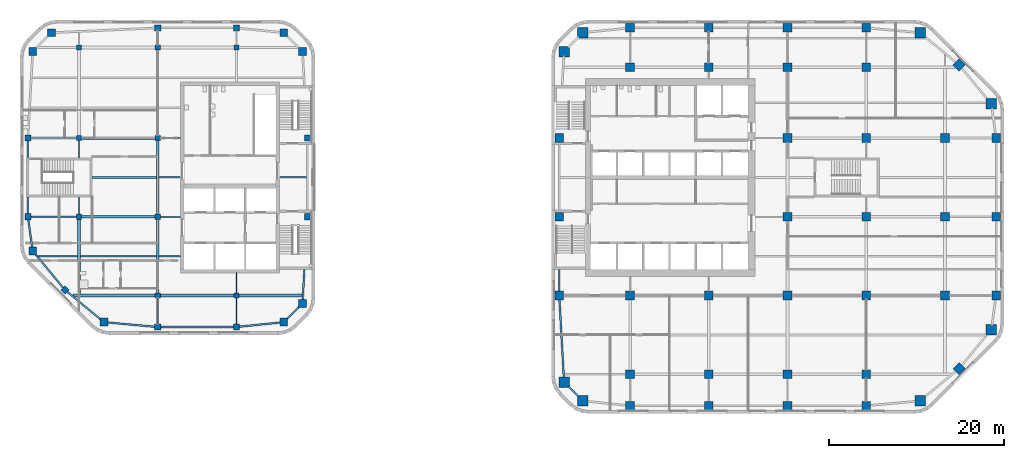
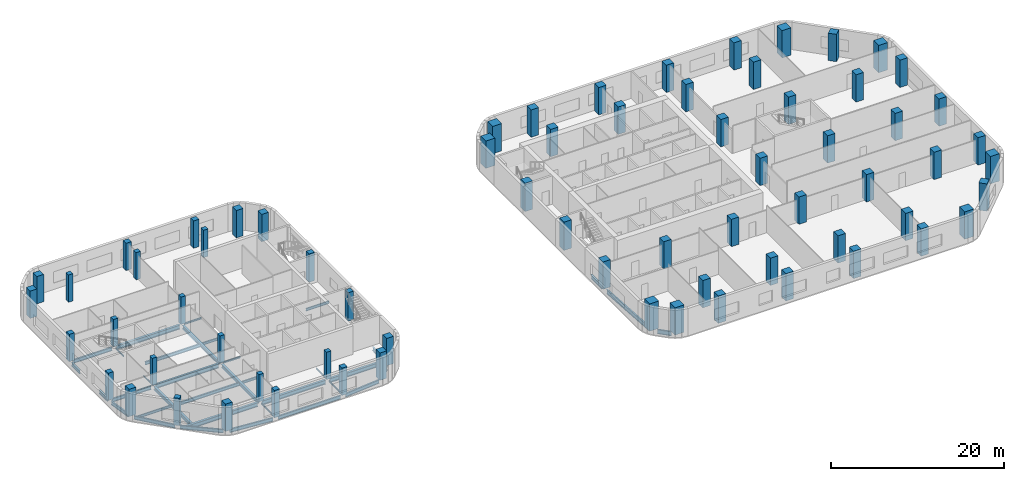
# One storey, part 1 of 14: 69 columns, 36 beams.
"""IFC4 building model written with IfcOpenShell, lengths in metres."""

from ifc_helpers import new_model, si_unit, direction, frame, origin, origin_2d, place, context, subcontext, project, spatial, rectangle, i_section, extrude, material, material_profile, profile_set, type_object, element, save


model = new_model("IFC4")

# Units and contexts
model_context = context("Model", 3, precision=1e-05, world=origin(), true_north=direction((0.0, 1.0)))
body_context = subcontext(model_context, "Body", "Model", "MODEL_VIEW")
ifc_project = project(units=[si_unit("LENGTHUNIT", "METRE"), si_unit("AREAUNIT", "SQUARE_METRE"), si_unit("VOLUMEUNIT", "CUBIC_METRE"), si_unit("PLANEANGLEUNIT", "RADIAN"), si_unit("MASSUNIT", "GRAM", prefix="KILO")], contexts=[model_context])

# Site, building, storey
site_placement = place(None, origin())
site = spatial("IfcSite", under=ifc_project, at=site_placement, CompositionType="ELEMENT")
building_placement = place(site_placement, origin())
building = spatial("IfcBuilding", under=site, at=building_placement, Name="Cinnabar Reach Civic Tower", CompositionType="ELEMENT")
storey_placement = place(building_placement, frame((0.0, 0.0, 124.0)))
storey = spatial("IfcBuildingStorey", under=building, at=storey_placement, Name="L29", CompositionType="ELEMENT", Elevation=124.0)

# Columns
ifc_material_1 = material(Name="Concrete C70", Category="concrete")
ifc_material_profile_1 = material_profile(ifc_material_1, rectangle(XDim=1.0, YDim=1.0, at=origin_2d()), Name="RC1000")
ifc_profile_set_1 = profile_set([ifc_material_profile_1], Name="Concrete C70")
column_type_1 = type_object("IfcColumnType", Name="RC1000 column R 240", PredefinedType="COLUMN", material=ifc_profile_set_1)
for number, where, z_axis, x_axis, name in (
    (1, (9.0, 5.4, 0.0), (0.0, 0.0, 1.0), (1.0, 0.0, 0.0), "Column T1-Z2-F0-1"),
    (2, (18.0, 5.4, 0.0), (0.0, 0.0, 1.0), (1.0, 0.0, 0.0), "Column T1-Z2-F0-2"),
    (3, (27.0, 5.4, 0.0), (0.0, 0.0, 1.0), (1.0, 0.0, 0.0), "Column T1-Z2-F0-3"),
    (4, (36.0, 5.4, 0.0), (0.0, 0.0, 1.0), (1.0, 0.0, 0.0), "Column T1-Z2-F0-4"),
    (5, (46.6136, 9.6364, 0.0), (0.0, 0.0, 1.0), (0.707106781187, 0.707106781187, 0.0), "Column T1-Z2-F1-M"),
    (6, (50.85, 18.0, 0.0), (0.0, 0.0, 1.0), (1.0, 0.0, 0.0), "Column T1-Z2-F2-2"),
    (7, (50.85, 27.0, 0.0), (0.0, 0.0, 1.0), (1.0, 0.0, 0.0), "Column T1-Z2-F2-3"),
    (8, (50.85, 36.0, 0.0), (0.0, 0.0, 1.0), (1.0, 0.0, 0.0), "Column T1-Z2-F2-4"),
    (9, (46.6136, 44.3636, 0.0), (0.0, 0.0, 1.0), (0.707106781187, 0.707106781187, 0.0), "Column T1-Z2-F3-M"),
    (10, (9.0, 48.6, 0.0), (0.0, 0.0, 1.0), (1.0, 0.0, 0.0), "Column T1-Z2-F4-1"),
    (11, (18.0, 48.6, 0.0), (0.0, 0.0, 1.0), (1.0, 0.0, 0.0), "Column T1-Z2-F4-2"),
    (12, (27.0, 48.6, 0.0), (0.0, 0.0, 1.0), (1.0, 0.0, 0.0), "Column T1-Z2-F4-3"),
    (13, (36.0, 48.6, 0.0), (0.0, 0.0, 1.0), (1.0, 0.0, 0.0), "Column T1-Z2-F4-4"),
    (14, (0.9, 18.0, 0.0), (0.0, 0.0, 1.0), (1.0, 0.0, 0.0), "Column T1-Z2-F6-2"),
):
    element("IfcColumn", number, at=place(storey_placement, frame(where, z_axis=z_axis, x_axis=x_axis)), inside=storey, type_object=column_type_1, Name=name, PredefinedType="COLUMN", context=body_context, shape_type="SweptSolid", body=[
        extrude(rectangle(XDim=1.0, YDim=1.0, at=origin_2d()), origin(), (0.0, 0.0, 1.0), 3.85),
    ])
for number, where, z_axis, x_axis, name in (
    (15, (0.9, 27.0, 0.0), (0.0, 0.0, 1.0), (1.0, 0.0, 0.0), "Column T1-Z2-F6-3"),
    (16, (0.9, 36.0, 0.0), (0.0, 0.0, 1.0), (1.0, 0.0, 0.0), "Column T1-Z2-F6-4"),
):
    element("IfcColumn", number, at=place(storey_placement, frame(where, z_axis=z_axis, x_axis=x_axis)), inside=storey, type_object=column_type_1, Name=name, PredefinedType="COLUMN", context=body_context, shape_type="SweptSolid", body=[
        extrude(rectangle(XDim=1.0, YDim=1.0, at=origin_2d()), origin(), (0.0, 0.0, 1.0), 4.0),
    ])
for number, where, z_axis, x_axis, name in (
    (17, (9.0, 9.0, 0.0), (0.0, 0.0, 1.0), (1.0, 0.0, 0.0), "Column T1-Z2-I9_9"),
    (18, (9.0, 18.0, 0.0), (0.0, 0.0, 1.0), (1.0, 0.0, 0.0), "Column T1-Z2-I9_18"),
    (19, (9.0, 44.1, 0.0), (0.0, 0.0, 1.0), (1.0, 0.0, 0.0), "Column T1-Z2-I9_45"),
    (20, (18.0, 9.0, 0.0), (0.0, 0.0, 1.0), (1.0, 0.0, 0.0), "Column T1-Z2-I18_9"),
    (21, (18.0, 18.0, 0.0), (0.0, 0.0, 1.0), (1.0, 0.0, 0.0), "Column T1-Z2-I18_18"),
    (22, (18.0, 44.1, 0.0), (0.0, 0.0, 1.0), (1.0, 0.0, 0.0), "Column T1-Z2-I18_45"),
    (23, (27.0, 9.0, 0.0), (0.0, 0.0, 1.0), (1.0, 0.0, 0.0), "Column T1-Z2-I27_9"),
    (24, (27.0, 18.0, 0.0), (0.0, 0.0, 1.0), (1.0, 0.0, 0.0), "Column T1-Z2-I27_18"),
    (25, (27.0, 27.0, 0.0), (0.0, 0.0, 1.0), (1.0, 0.0, 0.0), "Column T1-Z2-I27_27"),
    (26, (27.0, 36.0, 0.0), (0.0, 0.0, 1.0), (1.0, 0.0, 0.0), "Column T1-Z2-I27_36"),
    (27, (27.0, 44.1, 0.0), (0.0, 0.0, 1.0), (1.0, 0.0, 0.0), "Column T1-Z2-I27_45"),
    (28, (36.0, 9.0, 0.0), (0.0, 0.0, 1.0), (1.0, 0.0, 0.0), "Column T1-Z2-I36_9"),
    (29, (36.0, 18.0, 0.0), (0.0, 0.0, 1.0), (1.0, 0.0, 0.0), "Column T1-Z2-I36_18"),
    (30, (36.0, 27.0, 0.0), (0.0, 0.0, 1.0), (1.0, 0.0, 0.0), "Column T1-Z2-I36_27"),
    (31, (36.0, 36.0, 0.0), (0.0, 0.0, 1.0), (1.0, 0.0, 0.0), "Column T1-Z2-I36_36"),
    (32, (36.0, 44.1, 0.0), (0.0, 0.0, 1.0), (1.0, 0.0, 0.0), "Column T1-Z2-I36_45"),
    (33, (45.0, 18.0, 0.0), (0.0, 0.0, 1.0), (1.0, 0.0, 0.0), "Column T1-Z2-I45_18"),
    (34, (45.0, 27.0, 0.0), (0.0, 0.0, 1.0), (1.0, 0.0, 0.0), "Column T1-Z2-I45_27"),
    (35, (45.0, 36.0, 0.0), (0.0, 0.0, 1.0), (1.0, 0.0, 0.0), "Column T1-Z2-I45_36"),
):
    element("IfcColumn", number, at=place(storey_placement, frame(where, z_axis=z_axis, x_axis=x_axis)), inside=storey, type_object=column_type_1, Name=name, PredefinedType="COLUMN", context=body_context, shape_type="SweptSolid", body=[
        extrude(rectangle(XDim=1.0, YDim=1.0, at=origin_2d()), origin(), (0.0, 0.0, 1.0), 3.85),
    ])
ifc_material_2 = material(Name="Concrete C80", Category="concrete")
ifc_material_profile_2 = material_profile(ifc_material_2, rectangle(XDim=1.2, YDim=1.2, at=origin_2d()), Name="RC1200")
ifc_profile_set_2 = profile_set([ifc_material_profile_2], Name="Concrete C80")
column_type_2 = type_object("IfcColumnType", Name="RC1200 column R 240", PredefinedType="COLUMN", material=ifc_profile_set_2)
for number, where, z_axis, x_axis, name in (
    (36, (3.6019, 5.9531, 0.0), (0.0, 0.0, 1.0), (1.0, 0.0, 0.0), "Column T1-Z2-CC0"),
    (37, (42.1481, 5.9531, 0.0), (0.0, 0.0, 1.0), (1.0, 0.0, 0.0), "Column T1-Z2-CC1"),
    (38, (50.2969, 14.1019, 0.0), (0.0, 0.0, 1.0), (1.0, 0.0, 0.0), "Column T1-Z2-CC2"),
    (39, (50.2969, 39.8981, 0.0), (0.0, 0.0, 1.0), (1.0, 0.0, 0.0), "Column T1-Z2-CC3"),
    (40, (42.1481, 48.0469, 0.0), (0.0, 0.0, 1.0), (1.0, 0.0, 0.0), "Column T1-Z2-CC4"),
    (41, (3.6019, 48.0469, 0.0), (0.0, 0.0, 1.0), (1.0, 0.0, 0.0), "Column T1-Z2-CC5"),
    (42, (1.4531, 45.8981, 0.0), (0.0, 0.0, 1.0), (1.0, 0.0, 0.0), "Column T1-Z2-CC6"),
    (43, (1.4531, 8.1019, 0.0), (0.0, 0.0, 1.0), (1.0, 0.0, 0.0), "Column T1-Z2-CC7"),
):
    element("IfcColumn", number, at=place(storey_placement, frame(where, z_axis=z_axis, x_axis=x_axis)), inside=storey, type_object=column_type_2, Name=name, PredefinedType="COLUMN", context=body_context, shape_type="SweptSolid", body=[
        extrude(rectangle(XDim=1.2, YDim=1.2, at=origin_2d()), origin(), (0.0, 0.0, 1.0), 3.85),
    ])
ifc_material_3 = material(Name="Concrete C60", Category="concrete")
ifc_material_profile_3 = material_profile(ifc_material_3, rectangle(XDim=0.6, YDim=0.6, at=origin_2d()), Name="RC600")
ifc_profile_set_3 = profile_set([ifc_material_profile_3], Name="Concrete C60")
column_type_3 = type_object("IfcColumnType", Name="RC600 column R 180", PredefinedType="COLUMN", material=ifc_profile_set_3)
for number, where, z_axis, x_axis, name in (
    (44, (-54.0, 27.0, 0.0), (0.0, 0.0, 1.0), (1.0, 0.0, 0.0), "Column T2-Z3-I-54_27"),
    (45, (-54.0, 36.0, 0.0), (0.0, 0.0, 1.0), (1.0, 0.0, 0.0), "Column T2-Z3-I-54_36"),
    (46, (-54.0, 46.35, 0.0), (0.0, 0.0, 1.0), (1.0, 0.0, 0.0), "Column T2-Z3-I-54_45"),
    (47, (-45.0, 18.0, 0.0), (0.0, 0.0, 1.0), (1.0, 0.0, 0.0), "Column T2-Z3-I-45_18"),
    (48, (-45.0, 27.0, 0.0), (0.0, 0.0, 1.0), (1.0, 0.0, 0.0), "Column T2-Z3-I-45_27"),
    (49, (-45.0, 36.0, 0.0), (0.0, 0.0, 1.0), (1.0, 0.0, 0.0), "Column T2-Z3-I-45_36"),
    (50, (-45.0, 46.35, 0.0), (0.0, 0.0, 1.0), (1.0, 0.0, 0.0), "Column T2-Z3-I-45_45"),
    (51, (-36.0, 18.0, 0.0), (0.0, 0.0, 1.0), (1.0, 0.0, 0.0), "Column T2-Z3-I-36_18"),
    (52, (-36.0, 46.35, 0.0), (0.0, 0.0, 1.0), (1.0, 0.0, 0.0), "Column T2-Z3-I-36_45"),
):
    element("IfcColumn", number, at=place(storey_placement, frame(where, z_axis=z_axis, x_axis=x_axis)), inside=storey, type_object=column_type_3, Name=name, PredefinedType="COLUMN", context=body_context, shape_type="SweptSolid", body=[
        extrude(rectangle(XDim=0.6, YDim=0.6, at=origin_2d()), origin(), (0.0, 0.0, 1.0), 3.85),
    ])
ifc_material_profile_4 = material_profile(ifc_material_3, rectangle(XDim=0.7, YDim=0.7, at=origin_2d()), Name="RC700")
ifc_profile_set_4 = profile_set([ifc_material_profile_4], Name="Concrete C60")
column_type_4 = type_object("IfcColumnType", Name="RC700 column R 180", PredefinedType="COLUMN", material=ifc_profile_set_4)
for number, where, z_axis, x_axis, name in (
    (53, (-45.0, 14.4, 0.0), (0.0, 0.0, 1.0), (1.0, 0.0, 0.0), "Column T2-Z3-F0--5"),
    (54, (-36.0, 14.4, 0.0), (0.0, 0.0, 1.0), (1.0, 0.0, 0.0), "Column T2-Z3-F0--4"),
):
    element("IfcColumn", number, at=place(storey_placement, frame(where, z_axis=z_axis, x_axis=x_axis)), inside=storey, type_object=column_type_4, Name=name, PredefinedType="COLUMN", context=body_context, shape_type="SweptSolid", body=[
        extrude(rectangle(XDim=0.7, YDim=0.7, at=origin_2d()), origin(), (0.0, 0.0, 1.0), 3.85),
    ])
for number, where, z_axis, x_axis, name in (
    (55, (-27.9, 27.0, 0.0), (0.0, 0.0, 1.0), (1.0, 0.0, 0.0), "Column T2-Z3-F2-3"),
    (56, (-27.9, 36.0, 0.0), (0.0, 0.0, 1.0), (1.0, 0.0, 0.0), "Column T2-Z3-F2-4"),
):
    element("IfcColumn", number, at=place(storey_placement, frame(where, z_axis=z_axis, x_axis=x_axis)), inside=storey, type_object=column_type_4, Name=name, PredefinedType="COLUMN", context=body_context, shape_type="SweptSolid", body=[
        extrude(rectangle(XDim=0.7, YDim=0.7, at=origin_2d()), origin(), (0.0, 0.0, 1.0), 4.0),
    ])
for number, where, z_axis, x_axis, name in (
    (57, (-45.0, 48.6, 0.0), (0.0, 0.0, 1.0), (1.0, 0.0, 0.0), "Column T2-Z3-F4--5"),
    (58, (-36.0, 48.6, 0.0), (0.0, 0.0, 1.0), (1.0, 0.0, 0.0), "Column T2-Z3-F4--4"),
    (59, (-59.85, 27.0, 0.0), (0.0, 0.0, 1.0), (1.0, 0.0, 0.0), "Column T2-Z3-F6-3"),
    (60, (-59.85, 36.0, 0.0), (0.0, 0.0, 1.0), (1.0, 0.0, 0.0), "Column T2-Z3-F6-4"),
    (61, (-55.6136, 18.6364, 0.0), (0.0, 0.0, 1.0), (0.707106781187, 0.707106781187, 0.0), "Column T2-Z3-F7-M"),
):
    element("IfcColumn", number, at=place(storey_placement, frame(where, z_axis=z_axis, x_axis=x_axis)), inside=storey, type_object=column_type_4, Name=name, PredefinedType="COLUMN", context=body_context, shape_type="SweptSolid", body=[
        extrude(rectangle(XDim=0.7, YDim=0.7, at=origin_2d()), origin(), (0.0, 0.0, 1.0), 3.85),
    ])
ifc_material_profile_5 = material_profile(ifc_material_1, rectangle(XDim=0.9, YDim=0.9, at=origin_2d()), Name="RC900")
ifc_profile_set_5 = profile_set([ifc_material_profile_5], Name="Concrete C70")
column_type_5 = type_object("IfcColumnType", Name="RC900 column R 180", PredefinedType="COLUMN", material=ifc_profile_set_5)
for number, where, z_axis, x_axis, name in (
    (62, (-51.1481, 14.9531, 0.0), (0.0, 0.0, 1.0), (1.0, 0.0, 0.0), "Column T2-Z3-CC0"),
    (63, (-30.6019, 14.9531, 0.0), (0.0, 0.0, 1.0), (1.0, 0.0, 0.0), "Column T2-Z3-CC1"),
    (64, (-28.4531, 17.1019, 0.0), (0.0, 0.0, 1.0), (1.0, 0.0, 0.0), "Column T2-Z3-CC2"),
    (65, (-28.4531, 45.8981, 0.0), (0.0, 0.0, 1.0), (1.0, 0.0, 0.0), "Column T2-Z3-CC3"),
    (66, (-30.6019, 48.0469, 0.0), (0.0, 0.0, 1.0), (1.0, 0.0, 0.0), "Column T2-Z3-CC4"),
    (67, (-57.1481, 48.0469, 0.0), (0.0, 0.0, 1.0), (1.0, 0.0, 0.0), "Column T2-Z3-CC5"),
    (68, (-59.2969, 45.8981, 0.0), (0.0, 0.0, 1.0), (1.0, 0.0, 0.0), "Column T2-Z3-CC6"),
    (69, (-59.2969, 23.1019, 0.0), (0.0, 0.0, 1.0), (1.0, 0.0, 0.0), "Column T2-Z3-CC7"),
):
    element("IfcColumn", number, at=place(storey_placement, frame(where, z_axis=z_axis, x_axis=x_axis)), inside=storey, type_object=column_type_5, Name=name, PredefinedType="COLUMN", context=body_context, shape_type="SweptSolid", body=[
        extrude(rectangle(XDim=0.9, YDim=0.9, at=origin_2d()), origin(), (0.0, 0.0, 1.0), 3.85),
    ])

# Beams
ifc_material_4 = material(Name="Steel Q355B", Category="steel")
ifc_material_profile_6 = material_profile(ifc_material_4, i_section(OverallWidth=0.3, OverallDepth=0.488, WebThickness=0.011, FlangeThickness=0.018, FilletRadius=0.016, at=origin_2d()), Name="HM488x300x11x18")
ifc_profile_set_6 = profile_set([ifc_material_profile_6], Name="Steel Q355B")
beam_type_1 = type_object("IfcBeamType", Name="HM488x300x11x18 beam R 120", PredefinedType="BEAM", material=ifc_profile_set_6)
beam_1_placement = place(storey_placement, frame((-54.0, 18.152, -0.394), z_axis=(0.0, 1.0, 0.0), x_axis=(-1.0, 0.0, 0.0)))
element("IfcBeam", 70, at=beam_1_placement, inside=storey, type_object=beam_type_1, Name="Girder T2 L29 1", PredefinedType="BEAM", context=body_context, shape_type="SweptSolid", body=[
    extrude(i_section(OverallWidth=0.3, OverallDepth=0.488, WebThickness=0.011, FlangeThickness=0.018, FilletRadius=0.016, at=origin_2d()), origin(), (0.0, 0.0, 1.0), 8.546),
])
for number, where, z_axis, x_axis, name in (
    (71, (-45.0, 18.302, -0.394), (0.0, 1.0, 0.0), (-1.0, 0.0, 0.0), "Girder T2 L29 7"),
    (72, (-45.0, 27.302, -0.394), (0.0, 1.0, 0.0), (-1.0, 0.0, 0.0), "Girder T2 L29 8"),
):
    element("IfcBeam", number, at=place(storey_placement, frame(where, z_axis=z_axis, x_axis=x_axis)), inside=storey, type_object=beam_type_1, Name=name, PredefinedType="BEAM", context=body_context, shape_type="SweptSolid", body=[
        extrude(i_section(OverallWidth=0.3, OverallDepth=0.488, WebThickness=0.011, FlangeThickness=0.018, FilletRadius=0.016, at=origin_2d()), origin(), (0.0, 0.0, 1.0), 8.396),
    ])
ifc_material_profile_7 = material_profile(ifc_material_4, i_section(OverallWidth=0.3, OverallDepth=0.588, WebThickness=0.012, FlangeThickness=0.02, FilletRadius=0.016, at=origin_2d()), Name="HM588x300x12x20")
ifc_profile_set_7 = profile_set([ifc_material_profile_7], Name="Steel Q355B")
beam_type_2 = type_object("IfcBeamType", Name="HM588x300x12x20 beam R 120", PredefinedType="BEAM", material=ifc_profile_set_7)
beam_2_placement = place(storey_placement, frame((-54.6818, 18.0, -0.444), z_axis=(1.0, 0.0, 0.0), x_axis=(0.0, 1.0, 0.0)))
element("IfcBeam", 73, at=beam_2_placement, inside=storey, type_object=beam_type_2, Name="Girder T2 L29 1", PredefinedType="BEAM", context=body_context, shape_type="SweptSolid", body=[
    extrude(i_section(OverallWidth=0.3, OverallDepth=0.588, WebThickness=0.012, FlangeThickness=0.02, FilletRadius=0.016, at=origin_2d()), origin(), (0.0, 0.0, 1.0), 9.3798),
])
beam_3_placement = place(storey_placement, frame((-44.698, 18.0, -0.444), z_axis=(1.0, 0.0, 0.0), x_axis=(0.0, 1.0, 0.0)))
element("IfcBeam", 74, at=beam_3_placement, inside=storey, type_object=beam_type_2, Name="Girder T2 L29 2", PredefinedType="BEAM", context=body_context, shape_type="SweptSolid", body=[
    extrude(i_section(OverallWidth=0.3, OverallDepth=0.588, WebThickness=0.012, FlangeThickness=0.02, FilletRadius=0.016, at=origin_2d()), origin(), (0.0, 0.0, 1.0), 8.396),
])
beam_4_placement = place(storey_placement, frame((-35.698, 18.0, -0.444), z_axis=(1.0, 0.0, 0.0), x_axis=(0.0, 1.0, 0.0)))
element("IfcBeam", 75, at=beam_4_placement, inside=storey, type_object=beam_type_2, Name="Girder T2 L29 3", PredefinedType="BEAM", context=body_context, shape_type="SweptSolid", body=[
    extrude(i_section(OverallWidth=0.3, OverallDepth=0.588, WebThickness=0.012, FlangeThickness=0.02, FilletRadius=0.016, at=origin_2d()), origin(), (0.0, 0.0, 1.0), 7.1929),
])
for number, where, z_axis, x_axis, name in (
    (76, (-53.698, 27.0, -0.444), (1.0, 0.0, 0.0), (0.0, 1.0, 0.0), "Girder T2 L29 5"),
    (77, (-53.698, 36.0, -0.444), (1.0, 0.0, 0.0), (0.0, 1.0, 0.0), "Girder T2 L29 8"),
):
    element("IfcBeam", number, at=place(storey_placement, frame(where, z_axis=z_axis, x_axis=x_axis)), inside=storey, type_object=beam_type_2, Name=name, PredefinedType="BEAM", context=body_context, shape_type="SweptSolid", body=[
        extrude(i_section(OverallWidth=0.3, OverallDepth=0.588, WebThickness=0.012, FlangeThickness=0.02, FilletRadius=0.016, at=origin_2d()), origin(), (0.0, 0.0, 1.0), 8.396),
    ])
ifc_material_profile_8 = material_profile(ifc_material_4, i_section(OverallWidth=0.099, OverallDepth=0.198, WebThickness=0.0045, FlangeThickness=0.007, FilletRadius=0.013, at=origin_2d()), Name="HN200x100x5.5x8")
ifc_profile_set_8 = profile_set([ifc_material_profile_8], Name="Steel Q355B")
beam_type_3 = type_object("IfcBeamType", Name="HN200x100x5.5x8 beam R 120", PredefinedType="BEAM", material=ifc_profile_set_8)
for number, where, z_axis, x_axis, name in (
    (78, (-54.0, 27.302, -0.249), (0.0, 1.0, 0.0), (-1.0, 0.0, 0.0), "Girder T2 L29 2"),
    (79, (-54.0, 33.752, -0.249), (0.0, 1.0, 0.0), (-1.0, 0.0, 0.0), "Girder T2 L29 3"),
):
    element("IfcBeam", number, at=place(storey_placement, frame(where, z_axis=z_axis, x_axis=x_axis)), inside=storey, type_object=beam_type_3, Name=name, PredefinedType="BEAM", context=body_context, shape_type="SweptSolid", body=[
        extrude(i_section(OverallWidth=0.099, OverallDepth=0.198, WebThickness=0.0045, FlangeThickness=0.007, FilletRadius=0.013, at=origin_2d()), origin(), (0.0, 0.0, 1.0), 1.946),
    ])
for number, where, z_axis, x_axis, name in (
    (80, (-45.0, 14.752, -0.249), (0.0, 1.0, 0.0), (-1.0, 0.0, 0.0), "Girder T2 L29 6"),
    (81, (-36.0, 14.752, -0.249), (0.0, 1.0, 0.0), (-1.0, 0.0, 0.0), "Girder T2 L29 11"),
):
    element("IfcBeam", number, at=place(storey_placement, frame(where, z_axis=z_axis, x_axis=x_axis)), inside=storey, type_object=beam_type_3, Name=name, PredefinedType="BEAM", context=body_context, shape_type="SweptSolid", body=[
        extrude(i_section(OverallWidth=0.099, OverallDepth=0.198, WebThickness=0.0045, FlangeThickness=0.007, FilletRadius=0.013, at=origin_2d()), origin(), (0.0, 0.0, 1.0), 2.946),
    ])
beam_5_placement = place(storey_placement, frame((-36.0, 18.302, -0.249), z_axis=(0.0, 1.0, 0.0), x_axis=(-1.0, 0.0, 0.0)))
element("IfcBeam", 82, at=beam_5_placement, inside=storey, type_object=beam_type_3, Name="Girder T2 L29 12", PredefinedType="BEAM", context=body_context, shape_type="SweptSolid", body=[
    extrude(i_section(OverallWidth=0.099, OverallDepth=0.198, WebThickness=0.0045, FlangeThickness=0.007, FilletRadius=0.013, at=origin_2d()), origin(), (0.0, 0.0, 1.0), 2.296),
])
ifc_material_profile_9 = material_profile(ifc_material_4, i_section(OverallWidth=0.124, OverallDepth=0.248, WebThickness=0.005, FlangeThickness=0.008, FilletRadius=0.013, at=origin_2d()), Name="HN250x125x6x9")
ifc_profile_set_9 = profile_set([ifc_material_profile_9], Name="Steel Q355B")
beam_type_4 = type_object("IfcBeamType", Name="HN250x125x6x9 beam R 120", PredefinedType="BEAM", material=ifc_profile_set_9)
for number, where, z_axis, x_axis, name in (
    (83, (-44.698, 27.0, -0.274), (1.0, 0.0, 0.0), (0.0, 1.0, 0.0), "Girder T2 L29 6"),
    (84, (-44.698, 36.0, -0.274), (1.0, 0.0, 0.0), (0.0, 1.0, 0.0), "Girder T2 L29 9"),
):
    element("IfcBeam", number, at=place(storey_placement, frame(where, z_axis=z_axis, x_axis=x_axis)), inside=storey, type_object=beam_type_4, Name=name, PredefinedType="BEAM", context=body_context, shape_type="SweptSolid", body=[
        extrude(i_section(OverallWidth=0.124, OverallDepth=0.248, WebThickness=0.005, FlangeThickness=0.008, FilletRadius=0.013, at=origin_2d()), origin(), (0.0, 0.0, 1.0), 2.296),
    ])
ifc_material_profile_10 = material_profile(ifc_material_4, i_section(OverallWidth=0.175, OverallDepth=0.35, WebThickness=0.007, FlangeThickness=0.011, FilletRadius=0.013, at=origin_2d()), Name="HN350x175x7x11")
ifc_profile_set_10 = profile_set([ifc_material_profile_10], Name="Steel Q355B")
beam_type_5 = type_object("IfcBeamType", Name="HN350x175x7x11 beam R 120", PredefinedType="BEAM", material=ifc_profile_set_10)
beam_6_placement = place(storey_placement, frame((-58.6682, 22.5, -0.325), z_axis=(1.0, 0.0, 0.0), x_axis=(0.0, 1.0, 0.0)))
element("IfcBeam", 85, at=beam_6_placement, inside=storey, type_object=beam_type_5, Name="Secondary beam T2 L29 1", PredefinedType="BEAM", context=body_context, shape_type="SweptSolid", body=[
    extrude(i_section(OverallWidth=0.175, OverallDepth=0.35, WebThickness=0.007, FlangeThickness=0.011, FilletRadius=0.013, at=origin_2d()), origin(), (0.0, 0.0, 1.0), 4.5162),
])
for number, where, z_axis, x_axis, name in (
    (86, (-44.848, 22.5, -0.325), (1.0, 0.0, 0.0), (0.0, 1.0, 0.0), "Secondary beam T2 L29 3"),
    (87, (-44.848, 31.5, -0.325), (1.0, 0.0, 0.0), (0.0, 1.0, 0.0), "Secondary beam T2 L29 5"),
):
    element("IfcBeam", number, at=place(storey_placement, frame(where, z_axis=z_axis, x_axis=x_axis)), inside=storey, type_object=beam_type_5, Name=name, PredefinedType="BEAM", context=body_context, shape_type="SweptSolid", body=[
        extrude(i_section(OverallWidth=0.175, OverallDepth=0.35, WebThickness=0.007, FlangeThickness=0.011, FilletRadius=0.013, at=origin_2d()), origin(), (0.0, 0.0, 1.0), 2.446),
    ])
beam_7_placement = place(storey_placement, frame((-31.098, 31.5, -0.325), z_axis=(1.0, 0.0, 0.0), x_axis=(0.0, 1.0, 0.0)))
element("IfcBeam", 88, at=beam_7_placement, inside=storey, type_object=beam_type_5, Name="Secondary beam T2 L29 6", PredefinedType="BEAM", context=body_context, shape_type="SweptSolid", body=[
    extrude(i_section(OverallWidth=0.175, OverallDepth=0.35, WebThickness=0.007, FlangeThickness=0.011, FilletRadius=0.013, at=origin_2d()), origin(), (0.0, 0.0, 1.0), 3.096),
])
ifc_material_profile_11 = material_profile(ifc_material_4, i_section(OverallWidth=0.2, OverallDepth=0.45, WebThickness=0.009, FlangeThickness=0.014, FilletRadius=0.016, at=origin_2d()), Name="HN450x200x9x14")
ifc_profile_set_11 = profile_set([ifc_material_profile_11], Name="Steel Q355B")
beam_type_6 = type_object("IfcBeamType", Name="HN450x200x9x14 beam R 120", PredefinedType="BEAM", material=ifc_profile_set_11)
beam_8_placement = place(storey_placement, frame((-53.848, 22.5, -0.375), z_axis=(1.0, 0.0, 0.0), x_axis=(0.0, 1.0, 0.0)))
element("IfcBeam", 89, at=beam_8_placement, inside=storey, type_object=beam_type_6, Name="Secondary beam T2 L29 2", PredefinedType="BEAM", context=body_context, shape_type="SweptSolid", body=[
    extrude(i_section(OverallWidth=0.2, OverallDepth=0.45, WebThickness=0.009, FlangeThickness=0.014, FilletRadius=0.016, at=origin_2d()), origin(), (0.0, 0.0, 1.0), 8.696),
])
beam_9_placement = place(storey_placement, frame((-52.498, 31.5, -0.375), z_axis=(1.0, 0.0, 0.0), x_axis=(0.0, 1.0, 0.0)))
element("IfcBeam", 90, at=beam_9_placement, inside=storey, type_object=beam_type_6, Name="Secondary beam T2 L29 4", PredefinedType="BEAM", context=body_context, shape_type="SweptSolid", body=[
    extrude(i_section(OverallWidth=0.2, OverallDepth=0.45, WebThickness=0.009, FlangeThickness=0.014, FilletRadius=0.016, at=origin_2d()), origin(), (0.0, 0.0, 1.0), 7.346),
])
ifc_material_profile_12 = material_profile(ifc_material_4, i_section(OverallWidth=0.2, OverallDepth=0.5, WebThickness=0.01, FlangeThickness=0.016, FilletRadius=0.016, at=origin_2d()), Name="HN500x200x10x16")
ifc_profile_set_12 = profile_set([ifc_material_profile_12], Name="Steel Q355B")
beam_type_7 = type_object("IfcBeamType", Name="HN500x200x10x16 beam R 120", PredefinedType="BEAM", material=ifc_profile_set_12)
beam_10_placement = place(storey_placement, frame((-50.8161, 14.9232, -0.4), z_axis=(0.99597881512, -0.089589060894, 0.0), x_axis=(0.089589060894, 0.99597881512, 0.0)))
element("IfcBeam", 91, at=beam_10_placement, inside=storey, type_object=beam_type_7, Name="Edge beam T2 L29 1", PredefinedType="BEAM", context=body_context, shape_type="SweptSolid", body=[
    extrude(i_section(OverallWidth=0.2, OverallDepth=0.5, WebThickness=0.01, FlangeThickness=0.016, FilletRadius=0.016, at=origin_2d()), origin(), (0.0, 0.0, 1.0), 5.4862),
])
beam_11_placement = place(storey_placement, frame((-44.648, 14.4, -0.4), z_axis=(1.0, 0.0, 0.0), x_axis=(0.0, 1.0, 0.0)))
element("IfcBeam", 92, at=beam_11_placement, inside=storey, type_object=beam_type_7, Name="Edge beam T2 L29 2", PredefinedType="BEAM", context=body_context, shape_type="SweptSolid", body=[
    extrude(i_section(OverallWidth=0.2, OverallDepth=0.5, WebThickness=0.01, FlangeThickness=0.016, FilletRadius=0.016, at=origin_2d()), origin(), (0.0, 0.0, 1.0), 8.296),
])
beam_12_placement = place(storey_placement, frame((-35.648, 14.4361, -0.4), z_axis=(0.994792087401, 0.101924986363, 0.0), x_axis=(-0.101924986363, 0.994792087401, 0.0)))
element("IfcBeam", 93, at=beam_12_placement, inside=storey, type_object=beam_type_7, Name="Edge beam T2 L29 3", PredefinedType="BEAM", context=body_context, shape_type="SweptSolid", body=[
    extrude(i_section(OverallWidth=0.2, OverallDepth=0.5, WebThickness=0.01, FlangeThickness=0.016, FilletRadius=0.016, at=origin_2d()), origin(), (0.0, 0.0, 1.0), 4.7388),
])
beam_13_placement = place(storey_placement, frame((-30.2699, 15.2851, -0.4), z_axis=(0.707106781187, 0.707106781187, 0.0), x_axis=(-0.707106781187, 0.707106781187, 0.0)))
element("IfcBeam", 94, at=beam_13_placement, inside=storey, type_object=beam_type_7, Name="Edge beam T2 L29 4", PredefinedType="BEAM", context=body_context, shape_type="SweptSolid", body=[
    extrude(i_section(OverallWidth=0.2, OverallDepth=0.5, WebThickness=0.01, FlangeThickness=0.016, FilletRadius=0.016, at=origin_2d()), origin(), (0.0, 0.0, 1.0), 2.0998),
])
beam_14_placement = place(storey_placement, frame((-28.4345, 17.4339, -0.4), z_axis=(0.055775670196, 0.99844332569, 0.0), x_axis=(-0.99844332569, 0.055775670196, 0.0)))
element("IfcBeam", 95, at=beam_14_placement, inside=storey, type_object=beam_type_7, Name="Edge beam T2 L29 5", PredefinedType="BEAM", context=body_context, shape_type="SweptSolid", body=[
    extrude(i_section(OverallWidth=0.2, OverallDepth=0.5, WebThickness=0.01, FlangeThickness=0.016, FilletRadius=0.016, at=origin_2d()), origin(), (0.0, 0.0, 1.0), 3.5697),
])
for number, where, z_axis, x_axis, name in (
    (96, (-59.85, 35.648, -0.4), (0.0, -1.0, 0.0), (1.0, 0.0, 0.0), "Edge beam T2 L29 14"),
    (97, (-59.85, 29.248, -0.4), (0.0, -1.0, 0.0), (1.0, 0.0, 0.0), "Edge beam T2 L29 15"),
):
    element("IfcBeam", number, at=place(storey_placement, frame(where, z_axis=z_axis, x_axis=x_axis)), inside=storey, type_object=beam_type_7, Name=name, PredefinedType="BEAM", context=body_context, shape_type="SweptSolid", body=[
        extrude(i_section(OverallWidth=0.2, OverallDepth=0.5, WebThickness=0.01, FlangeThickness=0.016, FilletRadius=0.016, at=origin_2d()), origin(), (0.0, 0.0, 1.0), 1.896),
    ])
beam_15_placement = place(storey_placement, frame((-59.8001, 26.648, -0.4), z_axis=(0.140498398047, -0.990080905859, 0.0), x_axis=(0.990080905859, 0.140498398047, 0.0)))
element("IfcBeam", 98, at=beam_15_placement, inside=storey, type_object=beam_type_7, Name="Edge beam T2 L29 16", PredefinedType="BEAM", context=body_context, shape_type="SweptSolid", body=[
    extrude(i_section(OverallWidth=0.2, OverallDepth=0.5, WebThickness=0.01, FlangeThickness=0.016, FilletRadius=0.016, at=origin_2d()), origin(), (0.0, 0.0, 1.0), 3.2463),
])
for number, where, z_axis, x_axis, name in (
    (99, (-59.0231, 22.7699, -0.4), (0.636307764727, -0.771435304189, 0.0), (0.771435304189, 0.636307764727, 0.0), "Edge beam T2 L29 17"),
    (100, (-55.3873, 18.4497, -0.4), (0.771435304189, -0.636307764727, 0.0), (0.636307764727, 0.771435304189, 0.0), "Edge beam T2 L29 18"),
):
    element("IfcBeam", number, at=place(storey_placement, frame(where, z_axis=z_axis, x_axis=x_axis)), inside=storey, type_object=beam_type_7, Name=name, PredefinedType="BEAM", context=body_context, shape_type="SweptSolid", body=[
        extrude(i_section(OverallWidth=0.2, OverallDepth=0.5, WebThickness=0.01, FlangeThickness=0.016, FilletRadius=0.016, at=origin_2d()), origin(), (0.0, 0.0, 1.0), 5.0648),
    ])
for number, where, z_axis, x_axis, name in (
    (101, (-59.498, 27.0, -0.4), (1.0, 0.0, 0.0), (0.0, 1.0, 0.0), "Girder T2 L29 4"),
    (102, (-59.498, 36.0, -0.4), (1.0, 0.0, 0.0), (0.0, 1.0, 0.0), "Girder T2 L29 7"),
):
    element("IfcBeam", number, at=place(storey_placement, frame(where, z_axis=z_axis, x_axis=x_axis)), inside=storey, type_object=beam_type_7, Name=name, PredefinedType="BEAM", context=body_context, shape_type="SweptSolid", body=[
        extrude(i_section(OverallWidth=0.2, OverallDepth=0.5, WebThickness=0.01, FlangeThickness=0.016, FilletRadius=0.016, at=origin_2d()), origin(), (0.0, 0.0, 1.0), 5.196),
    ])
ifc_material_profile_13 = material_profile(ifc_material_4, i_section(OverallWidth=0.2, OverallDepth=0.6, WebThickness=0.011, FlangeThickness=0.017, FilletRadius=0.016, at=origin_2d()), Name="HN600x200x11x17")
ifc_profile_set_13 = profile_set([ifc_material_profile_13], Name="Steel Q355B")
beam_type_8 = type_object("IfcBeamType", Name="HN600x200x11x17 beam R 180", PredefinedType="BEAM", material=ifc_profile_set_13)
beam_16_placement = place(storey_placement, frame((0.9, 20.998, -0.45), z_axis=(0.0, -1.0, 0.0), x_axis=(1.0, 0.0, 0.0)))
element("IfcBeam", 103, at=beam_16_placement, inside=storey, type_object=beam_type_8, Name="Edge beam T1 L29 22", PredefinedType="BEAM", context=body_context, shape_type="SweptSolid", body=[
    extrude(i_section(OverallWidth=0.2, OverallDepth=0.6, WebThickness=0.011, FlangeThickness=0.017, FilletRadius=0.016, at=origin_2d()), origin(), (0.0, 0.0, 1.0), 2.496),
])
beam_17_placement = place(storey_placement, frame((0.9281, 17.498, -0.45), z_axis=(0.055790736166, -0.998442483951, 0.0), x_axis=(0.998442483951, 0.055790736166, 0.0)))
element("IfcBeam", 104, at=beam_17_placement, inside=storey, type_object=beam_type_8, Name="Edge beam T1 L29 23", PredefinedType="BEAM", context=body_context, shape_type="SweptSolid", body=[
    extrude(i_section(OverallWidth=0.2, OverallDepth=0.6, WebThickness=0.011, FlangeThickness=0.017, FilletRadius=0.016, at=origin_2d()), origin(), (0.0, 0.0, 1.0), 8.928),
])
beam_18_placement = place(storey_placement, frame((1.9351, 7.6199, -0.45), z_axis=(0.707106781187, -0.707106781187, 0.0), x_axis=(0.707106781187, 0.707106781187, 0.0)))
element("IfcBeam", 105, at=beam_18_placement, inside=storey, type_object=beam_type_8, Name="Edge beam T1 L29 24", PredefinedType="BEAM", context=body_context, shape_type="SweptSolid", body=[
    extrude(i_section(OverallWidth=0.2, OverallDepth=0.6, WebThickness=0.011, FlangeThickness=0.017, FilletRadius=0.016, at=origin_2d()), origin(), (0.0, 0.0, 1.0), 1.6756),
])

save(model, "model.ifc")
